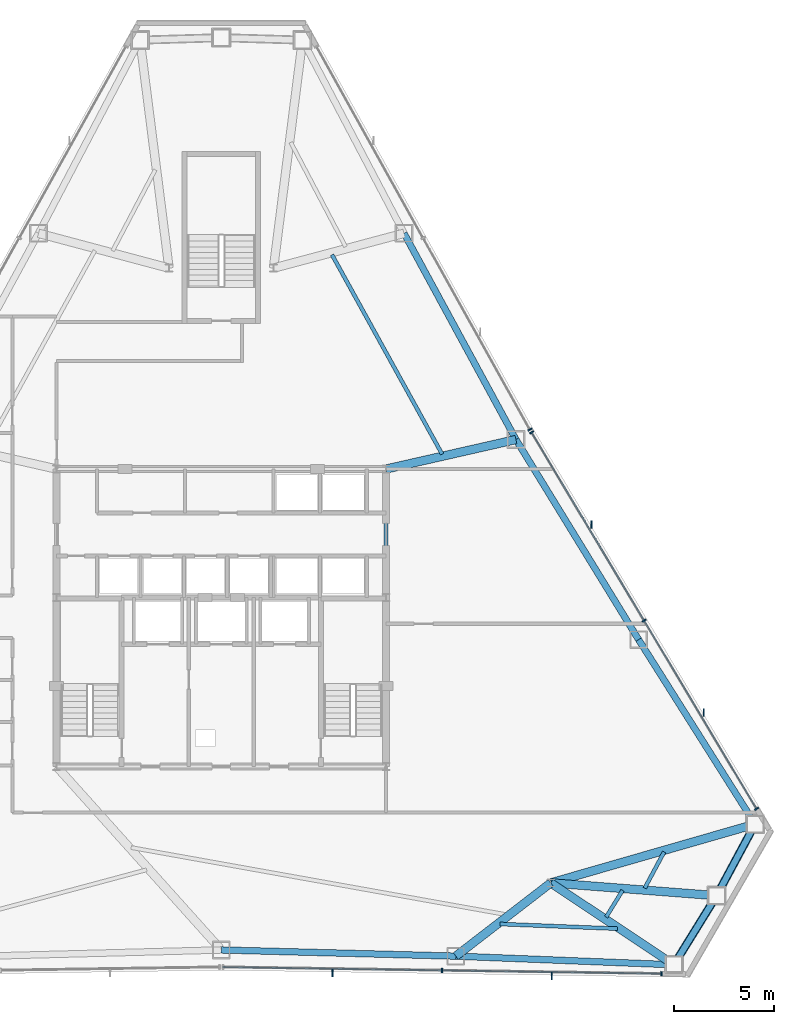
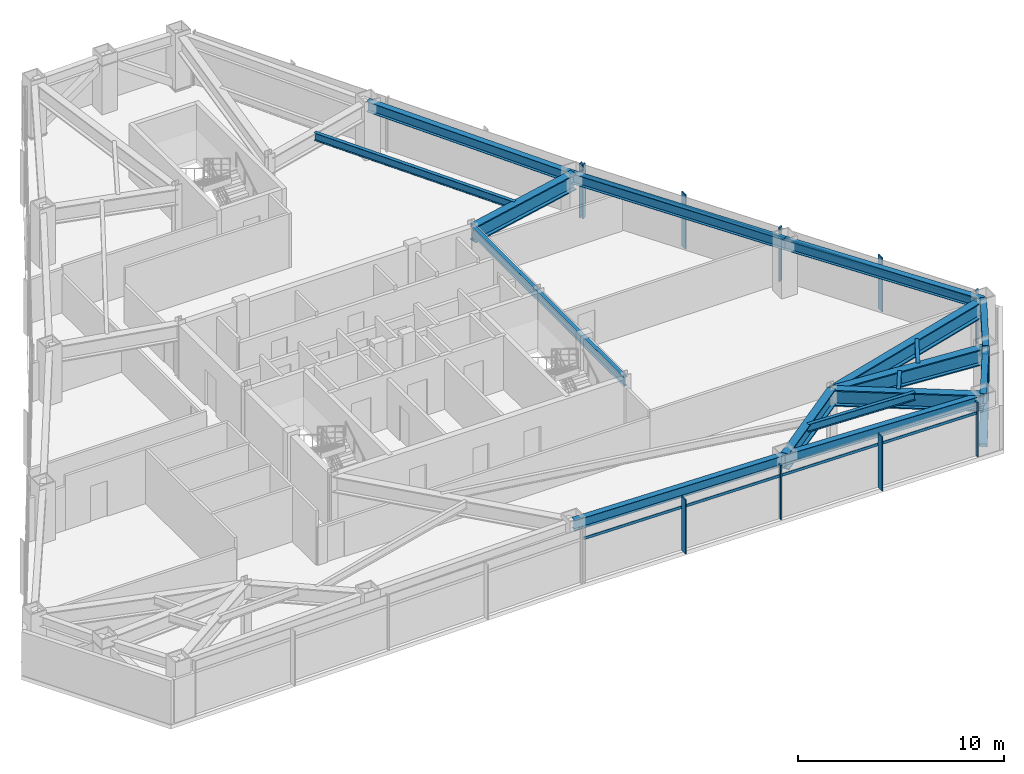
# One storey, part 6 of 11: 17 beams, 14 members, 3 elements without a shape of their own.
"""IFC4 building model written with IfcOpenShell, lengths in metres."""

from ifc_helpers import new_model, si_unit, direction, frame, origin, origin_2d, place, context, subcontext, project, spatial, rectangle, hollow_rectangle, i_section, extrude, source, transform, mapped, material, layer, layer_set, material_profile, profile_set, type_object, type_shapes, element, aggregate, save


model = new_model("IFC4")

# Units and contexts
model_context = context("Model", 3, precision=1e-05, world=origin(), true_north=direction((0.0, 1.0)))
body_context = subcontext(model_context, "Body", "Model", "MODEL_VIEW")
ifc_project = project(units=[si_unit("LENGTHUNIT", "METRE"), si_unit("AREAUNIT", "SQUARE_METRE"), si_unit("VOLUMEUNIT", "CUBIC_METRE"), si_unit("PLANEANGLEUNIT", "RADIAN"), si_unit("MASSUNIT", "GRAM", prefix="KILO")], contexts=[model_context])

# Site, building, storey
site_placement = place(None, origin())
site = spatial("IfcSite", under=ifc_project, at=site_placement, CompositionType="ELEMENT")
building_placement = place(site_placement, origin())
building = spatial("IfcBuilding", under=site, at=building_placement, Name="Varakhsha Concourse Tower", CompositionType="ELEMENT")
storey_placement = place(building_placement, frame((0.0, 0.0, 140.14990234375)))
storey = spatial("IfcBuildingStorey", under=building, at=storey_placement, Name="L40", CompositionType="ELEMENT", Elevation=140.14990234375)

# Beams
ifc_material_1 = material(Name="Structural Steel ASTM A992 Grade 50", Category="steel")
ifc_material_profile_1 = material_profile(ifc_material_1, i_section(OverallWidth=0.19091796875, OverallDepth=0.45703125, WebThickness=0.009033203125, FlangeThickness=0.013916015625, at=origin_2d()), Name="W18X50")
ifc_profile_set_1 = profile_set([ifc_material_profile_1], Name="Structural Steel ASTM A992 Grade 50")
beam_type_1 = type_object("IfcBeamType", Name="BM-JST-W18X50", PredefinedType="JOIST", material=ifc_profile_set_1)
beam_1_placement = place(storey_placement, frame((53.864501953125, 8.5546875, 2.981689453125), z_axis=(0.999213812378, -0.039645392572, 0.0), x_axis=(0.039645392572, 0.999213812378, 0.0)))
element("IfcBeam", 1, at=beam_1_placement, inside=storey, type_object=beam_type_1, Name="BM-TJST-L40-12", PredefinedType="JOIST", context=body_context, shape_type="SweptSolid", body=[
    extrude(i_section(OverallWidth=0.19091796875, OverallDepth=0.45703125, WebThickness=0.009033203125, FlangeThickness=0.013916015625, at=origin_2d()), origin(), (0.0, 0.0, 1.0), 5.862548828125),
])
beam_2_placement = place(storey_placement, frame((59.154541015625, 8.900390625, 2.981689453125), z_axis=(0.525799446458, 0.850608571615, 0.0), x_axis=(-0.850608571615, 0.525799446458, 0.0)))
element("IfcBeam", 2, at=beam_2_placement, inside=storey, type_object=beam_type_1, Name="BM-TJST-L40-13", PredefinedType="JOIST", context=body_context, shape_type="SweptSolid", body=[
    extrude(i_section(OverallWidth=0.19091796875, OverallDepth=0.45703125, WebThickness=0.009033203125, FlangeThickness=0.013916015625, at=origin_2d()), origin(), (0.0, 0.0, 1.0), 1.5595703125),
])
beam_3_placement = place(storey_placement, frame((61.075439453125, 10.34130859375, 2.981689453125), z_axis=(0.473665428996, 0.880704866215, 0.0), x_axis=(-0.880704866215, 0.473665428996, 0.0)))
element("IfcBeam", 3, at=beam_3_placement, inside=storey, type_object=beam_type_1, Name="BM-TJST-L40-14", PredefinedType="JOIST", context=body_context, shape_type="SweptSolid", body=[
    extrude(i_section(OverallWidth=0.19091796875, OverallDepth=0.45703125, WebThickness=0.009033203125, FlangeThickness=0.013916015625, at=origin_2d()), origin(), (0.0, 0.0, 1.0), 2.044677734375),
])
beam_4_placement = place(storey_placement, frame((50.99267578125, 31.9423828125, 2.981689453125), z_axis=(-0.483463831389, 0.875364337712, 0.0), x_axis=(-0.875364337712, -0.483463831389, 0.0)))
element("IfcBeam", 4, at=beam_4_placement, inside=storey, type_object=beam_type_1, Name="BM-TJST-L40-17", PredefinedType="JOIST", context=body_context, shape_type="SweptSolid", body=[
    extrude(i_section(OverallWidth=0.19091796875, OverallDepth=0.45703125, WebThickness=0.009033203125, FlangeThickness=0.013916015625, at=origin_2d()), origin(), (0.0, 0.0, 1.0), 11.33740234375),
])
ifc_material_profile_2 = material_profile(ifc_material_1, i_section(OverallWidth=0.423095703125, OverallDepth=0.947998046875, WebThickness=0.0380859375, FlangeThickness=0.06396484375, at=origin_2d()), Name="W36X302")
ifc_profile_set_2 = profile_set([ifc_material_profile_2], Name="Structural Steel ASTM A992 Grade 50")
beam_type_2 = type_object("IfcBeamType", Name="BM-OUTR-W36X302", PredefinedType="USERDEFINED", material=ifc_profile_set_2)
beam_5_placement = place(storey_placement, frame((56.39990234375, 10.60009765625, 2.736083984375), z_axis=(-0.791765293301, -0.610825441778, 0.0), x_axis=(0.610825441778, -0.791765293301, 0.0)))
element("IfcBeam", 5, at=beam_5_placement, inside=storey, type_object=beam_type_2, Name="L40 Radial Floor Girder 12", ObjectType="GIRDER", PredefinedType="USERDEFINED", context=body_context, shape_type="SweptSolid", body=[
    extrude(i_section(OverallWidth=0.423095703125, OverallDepth=0.947998046875, WebThickness=0.0380859375, FlangeThickness=0.06396484375, at=origin_2d()), origin(), (0.0, 0.0, 1.0), 5.966552734375),
])
beam_6_placement = place(storey_placement, frame((56.39990234375, 10.60009765625, 2.736083984375), z_axis=(0.832708011905, -0.553712350332, 0.0), x_axis=(0.553712350332, 0.832708011905, 0.0)))
element("IfcBeam", 6, at=beam_6_placement, inside=storey, type_object=beam_type_2, Name="L40 Radial Floor Girder 13", ObjectType="GIRDER", PredefinedType="USERDEFINED", context=body_context, shape_type="SweptSolid", body=[
    extrude(i_section(OverallWidth=0.423095703125, OverallDepth=0.947998046875, WebThickness=0.0380859375, FlangeThickness=0.06396484375, at=origin_2d()), origin(), (0.0, 0.0, 1.0), 7.360107421875),
])
beam_7_placement = place(storey_placement, frame((56.39990234375, 10.60009765625, 2.736083984375), z_axis=(0.997052750856, -0.076719045946, 0.0), x_axis=(0.076719045946, 0.997052750856, 0.0)))
element("IfcBeam", 7, at=beam_7_placement, inside=storey, type_object=beam_type_2, Name="L40 Radial Floor Girder 14", ObjectType="GIRDER", PredefinedType="USERDEFINED", context=body_context, shape_type="SweptSolid", body=[
    extrude(i_section(OverallWidth=0.423095703125, OverallDepth=0.947998046875, WebThickness=0.0380859375, FlangeThickness=0.06396484375, at=origin_2d()), origin(), (0.0, 0.0, 1.0), 8.2802734375),
])
beam_8_placement = place(storey_placement, frame((56.39990234375, 10.60009765625, 2.736083984375), z_axis=(0.961004351566, 0.27653324623, 0.0), x_axis=(-0.27653324623, 0.961004351566, 0.0)))
element("IfcBeam", 8, at=beam_8_placement, inside=storey, type_object=beam_type_2, Name="L40 Radial Floor Girder 15", ObjectType="GIRDER", PredefinedType="USERDEFINED", context=body_context, shape_type="SweptSolid", body=[
    extrude(i_section(OverallWidth=0.423095703125, OverallDepth=0.947998046875, WebThickness=0.0380859375, FlangeThickness=0.06396484375, at=origin_2d()), origin(), (0.0, 0.0, 1.0), 10.584716796875),
])
beam_9_placement = place(storey_placement, frame((48.199951171875, 31.199951171875, 2.736083984375), z_axis=(0.97518598452, 0.221387207388, 0.0), x_axis=(-0.221387207388, 0.97518598452, 0.0)))
element("IfcBeam", 9, at=beam_9_placement, inside=storey, type_object=beam_type_2, Name="L40 Radial Floor Girder 17", ObjectType="GIRDER", PredefinedType="USERDEFINED", context=body_context, shape_type="SweptSolid", body=[
    extrude(i_section(OverallWidth=0.423095703125, OverallDepth=0.947998046875, WebThickness=0.0380859375, FlangeThickness=0.06396484375, at=origin_2d()), origin(), (0.0, 0.0, 1.0), 6.632080078125),
])
ifc_material_profile_3 = material_profile(ifc_material_1, i_section(OverallWidth=0.2109375, OverallDepth=0.5390625, WebThickness=0.011962890625, FlangeThickness=0.01904296875, at=origin_2d()), Name="W21X73")
ifc_profile_set_3 = profile_set([ifc_material_profile_3], Name="Structural Steel ASTM A992 Grade 50")
beam_type_3 = type_object("IfcBeamType", Name="BM-RAD-W21X73", PredefinedType="BEAM", material=ifc_profile_set_3)
beam_10_placement = place(storey_placement, frame((48.199951171875, 16.39990234375, 2.940673828125), z_axis=(0.0, 1.0, 0.0), x_axis=(-1.0, 0.0, 0.0)))
element("IfcBeam", 10, at=beam_10_placement, inside=storey, type_object=beam_type_3, Name="BM-TCORE-L40-CE", PredefinedType="BEAM", context=body_context, shape_type="SweptSolid", body=[
    extrude(i_section(OverallWidth=0.2109375, OverallDepth=0.5390625, WebThickness=0.011962890625, FlangeThickness=0.01904296875, at=origin_2d()), origin(), (0.0, 0.0, 1.0), 14.800048828125),
])
ifc_material_profile_4 = material_profile(ifc_material_1, i_section(OverallWidth=0.323974609375, OverallDepth=0.611083984375, WebThickness=0.012939453125, FlangeThickness=0.01904296875, at=origin_2d()), Name="W24X104")
ifc_profile_set_4 = profile_set([ifc_material_profile_4], Name="Structural Steel ASTM A992 Grade 50")
beam_type_4 = type_object("IfcBeamType", Name="BM-SPAN-W24X104", PredefinedType="SPANDREL", material=ifc_profile_set_4)
beam_11_placement = place(storey_placement, frame((40.0, 7.263427734375, 2.904541015625), z_axis=(0.999652558255, -0.026358353044, 0.0), x_axis=(0.026358353044, 0.999652558255, 0.0)))
element("IfcBeam", 11, at=beam_11_placement, inside=storey, type_object=beam_type_4, Name="BM-SPAN-L40-11", PredefinedType="SPANDREL", context=body_context, shape_type="SweptSolid", body=[
    extrude(i_section(OverallWidth=0.323974609375, OverallDepth=0.611083984375, WebThickness=0.012939453125, FlangeThickness=0.01904296875, at=origin_2d()), origin(), (0.0, 0.0, 1.0), 11.679931640625),
])
beam_12_placement = place(storey_placement, frame((51.67578125, 6.95556640625, 2.904541015625), z_axis=(0.999212728307, -0.039672705841, 0.0), x_axis=(0.039672705841, 0.999212728307, 0.0)))
element("IfcBeam", 12, at=beam_12_placement, inside=storey, type_object=beam_type_4, Name="BM-SPAN-L40-12", PredefinedType="SPANDREL", context=body_context, shape_type="SweptSolid", body=[
    extrude(i_section(OverallWidth=0.323974609375, OverallDepth=0.611083984375, WebThickness=0.012939453125, FlangeThickness=0.01904296875, at=origin_2d()), origin(), (0.0, 0.0, 1.0), 10.861572265625),
])
beam_13_placement = place(storey_placement, frame((62.52880859375, 6.524658203125, 2.904541015625), z_axis=(0.525874503709, 0.850562170772, 0.0), x_axis=(-0.850562170772, 0.525874503709, 0.0)))
element("IfcBeam", 13, at=beam_13_placement, inside=storey, type_object=beam_type_4, Name="BM-SPAN-L40-13", PredefinedType="SPANDREL", context=body_context, shape_type="SweptSolid", body=[
    extrude(i_section(OverallWidth=0.323974609375, OverallDepth=0.611083984375, WebThickness=0.012939453125, FlangeThickness=0.01904296875, at=origin_2d()), origin(), (0.0, 0.0, 1.0), 4.044677734375),
])
beam_14_placement = place(storey_placement, frame((64.65576171875, 9.96484375, 2.904541015625), z_axis=(0.473693045158, 0.880690012984, 0.0), x_axis=(-0.880690012984, 0.473693045158, 0.0)))
element("IfcBeam", 14, at=beam_14_placement, inside=storey, type_object=beam_type_4, Name="BM-SPAN-L40-14", PredefinedType="SPANDREL", context=body_context, shape_type="SweptSolid", body=[
    extrude(i_section(OverallWidth=0.323974609375, OverallDepth=0.611083984375, WebThickness=0.012939453125, FlangeThickness=0.01904296875, at=origin_2d()), origin(), (0.0, 0.0, 1.0), 4.044921875),
])
beam_15_placement = place(storey_placement, frame((66.57177734375, 13.527099609375, 2.904541015625), z_axis=(-0.533969312185, 0.845503857853, 0.0), x_axis=(-0.845503857853, -0.533969312185, 0.0)))
element("IfcBeam", 15, at=beam_15_placement, inside=storey, type_object=beam_type_4, Name="BM-SPAN-L40-15", PredefinedType="SPANDREL", context=body_context, shape_type="SweptSolid", body=[
    extrude(i_section(OverallWidth=0.323974609375, OverallDepth=0.611083984375, WebThickness=0.012939453125, FlangeThickness=0.01904296875, at=origin_2d()), origin(), (0.0, 0.0, 1.0), 10.861572265625),
])
beam_16_placement = place(storey_placement, frame((60.77197265625, 22.710693359375, 2.904541015625), z_axis=(-0.522655184814, 0.852544167646, 0.0), x_axis=(-0.852544167646, -0.522655184814, 0.0)))
element("IfcBeam", 16, at=beam_16_placement, inside=storey, type_object=beam_type_4, Name="BM-SPAN-L40-16", PredefinedType="SPANDREL", context=body_context, shape_type="SweptSolid", body=[
    extrude(i_section(OverallWidth=0.323974609375, OverallDepth=0.611083984375, WebThickness=0.012939453125, FlangeThickness=0.01904296875, at=origin_2d()), origin(), (0.0, 0.0, 1.0), 11.6796875),
])
beam_17_placement = place(storey_placement, frame((54.66748046875, 32.668212890625, 2.904541015625), z_axis=(-0.476994069137, 0.878906512667, 0.0), x_axis=(-0.878906512667, -0.476994069137, 0.0)))
element("IfcBeam", 17, at=beam_17_placement, inside=storey, type_object=beam_type_4, Name="BM-SPAN-L40-17", PredefinedType="SPANDREL", context=body_context, shape_type="SweptSolid", body=[
    extrude(i_section(OverallWidth=0.323974609375, OverallDepth=0.611083984375, WebThickness=0.012939453125, FlangeThickness=0.01904296875, at=origin_2d()), origin(), (0.0, 0.0, 1.0), 11.679931640625),
])

# Members
ifc_material_2 = material(Name="Structural Steel ASTM A500 Grade C", Category="steel")
ifc_material_profile_5 = material_profile(ifc_material_2, hollow_rectangle(XDim=0.39990234375, YDim=0.39990234375, WallThickness=0.01611328125, at=origin_2d()), Name="HSS 400x400x16")
ifc_profile_set_5 = profile_set([ifc_material_profile_5], Name="Structural Steel ASTM A500 Grade C")
member_type_1 = type_object("IfcMemberType", Name="MB-TUBE-HSS400", PredefinedType="BRACE", material=ifc_profile_set_5)
shared_shape_1 = source(origin(), body_context, "Body", "SweptSolid", [
    extrude(hollow_rectangle(XDim=0.39990234375, YDim=0.39990234375, WallThickness=0.01611328125, at=origin_2d()), origin(), (0.0, 0.0, 1.0), 4.91357421875),
])
member_1_placement = place(storey_placement, frame((62.52880859375, 6.524658203125, 0.1201171875), z_axis=(0.4328736846, 0.70014039138, 0.567823745135), x_axis=(-0.850562170772, 0.525874503709, 0.0)))
element("IfcMember", 18, at=member_1_placement, inside=storey, type_object=member_type_1, Name="L40 Wind-Corner Tube Brace B05", PredefinedType="BRACE", context=body_context, shape_type="MappedRepresentation", body=[
    mapped(shared_shape_1, transform((0.0, 0.0, 0.0), scale=1.0)),
])
shared_shape_2 = source(origin(), body_context, "Body", "SweptSolid", [
    extrude(hollow_rectangle(XDim=0.39990234375, YDim=0.39990234375, WallThickness=0.01611328125, at=origin_2d()), origin(), (0.0, 0.0, 1.0), 4.913818359375),
])
type_shapes(member_type_1, [shared_shape_1, shared_shape_2])
member_2_placement = place(storey_placement, frame((66.57177734375, 13.527099609375, 0.1201171875), z_axis=(-0.389928102475, -0.724954248626, 0.567800503961), x_axis=(0.880690012984, -0.473693045158, 0.0)))
element("IfcMember", 19, at=member_2_placement, inside=storey, type_object=member_type_1, Name="L40 Wind-Corner Tube Brace B06", PredefinedType="BRACE", context=body_context, shape_type="MappedRepresentation", body=[
    mapped(shared_shape_2, transform((0.0, 0.0, 0.0), scale=1.0)),
])

# Curtain wall, members
ifc_material_3 = material(Name="Anodised Bronze Architectural Aluminium AA 6063-T6", Category="aluminium")
ifc_layer = layer(ifc_material_3, 0.2099609375, Name="CW-SYS-04")
ifc_layer_set = layer_set([ifc_layer], Name="Anodised Bronze Architectural Aluminium AA 6063-T6")
curtain_wall_type = type_object("IfcCurtainWallType", Name="CW-SYS-04", PredefinedType="NOTDEFINED", material=ifc_layer_set)
curtain_wall_1_placement = place(storey_placement, origin())
curtain_wall_1 = element("IfcCurtainWall", 20, at=curtain_wall_1_placement, inside=storey, type_object=curtain_wall_type, Name="L40 Crystal Curtain Wall F6", PredefinedType="NOTDEFINED")
ifc_material_profile_6 = material_profile(ifc_material_3, rectangle(XDim=0.074951171875, YDim=0.219970703125, at=origin_2d()), Name="CWM-220X75")
ifc_profile_set_6 = profile_set([ifc_material_profile_6], Name="Anodised Bronze Architectural Aluminium AA 6063-T6")
member_type_2 = type_object("IfcMemberType", Name="CWM-220X75", PredefinedType="MULLION", material=ifc_profile_set_6)
shared_shape_3 = source(origin(), body_context, "Body", "SweptSolid", [
    extrude(rectangle(XDim=0.074951171875, YDim=0.219970703125, at=origin_2d()), origin(), (0.0, 0.0, 1.0), 3.210205078125),
])
type_shapes(member_type_2, [shared_shape_3])
member_3_placement = place(storey_placement, frame((61.90771484375, 6.081298828125, 0.0), z_axis=(0.0, 0.0, 1.0), x_axis=(-0.99988654105, 0.015063367057, 0.0)))
member_3 = element("IfcMember", 21, at=member_3_placement, type_object=member_type_2, Name="CW-L40-F6 Mullion 00", PredefinedType="MULLION", context=body_context, shape_type="MappedRepresentation", body=[
    mapped(shared_shape_3, transform((0.0, 0.0, 0.0), scale=1.0)),
])
member_4_placement = place(storey_placement, frame((50.994873046875, 6.245849609375, 0.0), z_axis=(0.0, 0.0, 1.0), x_axis=(-0.99988654105, 0.015063367057, 0.0)))
member_4 = element("IfcMember", 22, at=member_4_placement, type_object=member_type_2, Name="CW-L40-F6 Mullion 01", PredefinedType="MULLION", context=body_context, shape_type="MappedRepresentation", body=[
    mapped(shared_shape_3, transform((0.0, 0.0, 0.0), scale=1.0)),
])

curtain_wall_2_placement = place(storey_placement, origin())
curtain_wall_2 = element("IfcCurtainWall", 23, at=curtain_wall_2_placement, inside=storey, type_object=curtain_wall_type, Name="L40 Crystal Curtain Wall F8", PredefinedType="NOTDEFINED")
member_5_placement = place(storey_placement, frame((55.44775390625, 33.023681640625, 0.0), z_axis=(0.0, 0.0, 1.0), x_axis=(0.512984034508, -0.858398147913, 0.0)))
member_5 = element("IfcMember", 24, at=member_5_placement, type_object=member_type_2, Name="CW-L40-F8 Mullion 00", PredefinedType="MULLION", context=body_context, shape_type="MappedRepresentation", body=[
    mapped(shared_shape_3, transform((0.0, 0.0, 0.0), scale=1.0)),
])
member_6_placement = place(storey_placement, frame((61.04638671875, 23.655029296875, 0.0), z_axis=(0.0, 0.0, 1.0), x_axis=(0.512984034508, -0.858398147913, 0.0)))
member_6 = element("IfcMember", 25, at=member_6_placement, type_object=member_type_2, Name="CW-L40-F8 Mullion 01", PredefinedType="MULLION", context=body_context, shape_type="MappedRepresentation", body=[
    mapped(shared_shape_3, transform((0.0, 0.0, 0.0), scale=1.0)),
])
member_7_placement = place(storey_placement, frame((66.64501953125, 14.28662109375, 0.0), z_axis=(0.0, 0.0, 1.0), x_axis=(0.512984034508, -0.858398147913, 0.0)))
member_7 = element("IfcMember", 26, at=member_7_placement, type_object=member_type_2, Name="CW-L40-F8 Mullion 02", PredefinedType="MULLION", context=body_context, shape_type="MappedRepresentation", body=[
    mapped(shared_shape_3, transform((0.0, 0.0, 0.0), scale=1.0)),
])

# Curtain wall, member
curtain_wall_3_placement = place(storey_placement, origin())
curtain_wall_3 = element("IfcCurtainWall", 27, at=curtain_wall_3_placement, inside=storey, type_object=curtain_wall_type, Name="L40 Crystal Curtain Wall F9", PredefinedType="NOTDEFINED")
member_8_placement = place(storey_placement, frame((55.365234375, 33.166259765625, 0.0), z_axis=(0.0, 0.0, 1.0), x_axis=(0.48689953646, -0.873457979181, 0.0)))
member_8 = element("IfcMember", 28, at=member_8_placement, type_object=member_type_2, Name="CW-L40-F9 Mullion 02", PredefinedType="MULLION", context=body_context, shape_type="MappedRepresentation", body=[
    mapped(shared_shape_3, transform((0.0, 0.0, 0.0), scale=1.0)),
])
aggregate(curtain_wall_3, [member_8])

# Member
ifc_material_profile_7 = material_profile(ifc_material_3, rectangle(XDim=0.06494140625, YDim=0.159912109375, at=origin_2d()), Name="CWT-160X65")
ifc_profile_set_7 = profile_set([ifc_material_profile_7], Name="Anodised Bronze Architectural Aluminium AA 6063-T6")
member_type_3 = type_object("IfcMemberType", Name="CWT-160X65", PredefinedType="USERDEFINED", material=ifc_profile_set_7)
shared_shape_4 = source(origin(), body_context, "Body", "SweptSolid", [
    extrude(rectangle(XDim=0.06494140625, YDim=0.159912109375, at=origin_2d()), origin(), (0.0, 0.0, 1.0), 21.827880859375),
])
member_9_placement = place(storey_placement, frame((55.44775390625, 33.023681640625, 2.56005859375), z_axis=(0.512980068893, -0.858400517776, 0.0), x_axis=(0.858400517776, 0.512980068893, 0.0)))
member_9 = element("IfcMember", 29, at=member_9_placement, type_object=member_type_3, Name="CW-L40-F8 Transom 01", ObjectType="TRANSOM", PredefinedType="USERDEFINED", context=body_context, shape_type="MappedRepresentation", body=[
    mapped(shared_shape_4, transform((0.0, 0.0, 0.0), scale=1.0)),
])

ifc_material_profile_8 = material_profile(ifc_material_3, rectangle(XDim=0.06005859375, YDim=0.3798828125, at=origin_2d()), Name="FIN-BRZ-380")
ifc_profile_set_8 = profile_set([ifc_material_profile_8], Name="Anodised Bronze Architectural Aluminium AA 6063-T6")
member_type_4 = type_object("IfcMemberType", Name="FIN-BRZ-380", PredefinedType="USERDEFINED", material=ifc_profile_set_8)
shared_shape_5 = source(origin(), body_context, "Body", "SweptSolid", [
    extrude(rectangle(XDim=0.06005859375, YDim=0.3798828125, at=origin_2d()), origin(), (0.0, 0.0, 1.0), 3.210205078125),
])
type_shapes(member_type_4, [shared_shape_5])
member_10_placement = place(storey_placement, frame((56.4482421875, 5.95849609375, 0.0), z_axis=(0.0, 0.0, 1.0), x_axis=(1.0, 0.0, 0.0)))
member_10 = element("IfcMember", 30, at=member_10_placement, type_object=member_type_4, Name="L40 Anodised Bronze Solar Fin F6-1", ObjectType="SOLAR FIN", PredefinedType="USERDEFINED", context=body_context, shape_type="MappedRepresentation", body=[
    mapped(shared_shape_5, transform((0.0, 0.0, 0.0), scale=1.0)),
])

member_11_placement = place(storey_placement, frame((45.53564453125, 6.123046875, 0.0), z_axis=(0.0, 0.0, 1.0), x_axis=(1.0, 0.0, 0.0)))
member_11 = element("IfcMember", 31, at=member_11_placement, type_object=member_type_4, Name="L40 Anodised Bronze Solar Fin F6-2", ObjectType="SOLAR FIN", PredefinedType="USERDEFINED", context=body_context, shape_type="MappedRepresentation", body=[
    mapped(shared_shape_5, transform((0.0, 0.0, 0.0), scale=1.0)),
])

member_12_placement = place(storey_placement, frame((58.423095703125, 28.444580078125, 0.0), z_axis=(0.0, 0.0, 1.0), x_axis=(1.0, 0.0, 0.0)))
member_12 = element("IfcMember", 32, at=member_12_placement, type_object=member_type_4, Name="L40 Anodised Bronze Solar Fin F8-1", ObjectType="SOLAR FIN", PredefinedType="USERDEFINED", context=body_context, shape_type="MappedRepresentation", body=[
    mapped(shared_shape_5, transform((0.0, 0.0, 0.0), scale=1.0)),
])

member_13_placement = place(storey_placement, frame((64.021484375, 19.076171875, 0.0), z_axis=(0.0, 0.0, 1.0), x_axis=(1.0, 0.0, 0.0)))
member_13 = element("IfcMember", 33, at=member_13_placement, type_object=member_type_4, Name="L40 Anodised Bronze Solar Fin F8-2", ObjectType="SOLAR FIN", PredefinedType="USERDEFINED", context=body_context, shape_type="MappedRepresentation", body=[
    mapped(shared_shape_5, transform((0.0, 0.0, 0.0), scale=1.0)),
])

aggregate(curtain_wall_2, [member_5, member_6, member_7, member_9, member_12, member_13])

shared_shape_6 = source(origin(), body_context, "Body", "SweptSolid", [
    extrude(rectangle(XDim=0.06494140625, YDim=0.159912109375, at=origin_2d()), origin(), (0.0, 0.0, 1.0), 21.82763671875),
])
type_shapes(member_type_3, [shared_shape_4, shared_shape_6])
member_14_placement = place(storey_placement, frame((61.90771484375, 6.081298828125, 2.56005859375), z_axis=(-0.999886500205, 0.015066078077, 0.0), x_axis=(-0.015066078077, -0.999886500205, 0.0)))
member_14 = element("IfcMember", 34, at=member_14_placement, type_object=member_type_3, Name="CW-L40-F6 Transom 01", ObjectType="TRANSOM", PredefinedType="USERDEFINED", context=body_context, shape_type="MappedRepresentation", body=[
    mapped(shared_shape_6, transform((0.0, 0.0, 0.0), scale=1.0)),
])

aggregate(curtain_wall_1, [member_3, member_4, member_14, member_10, member_11])

save(model, "model.ifc")
